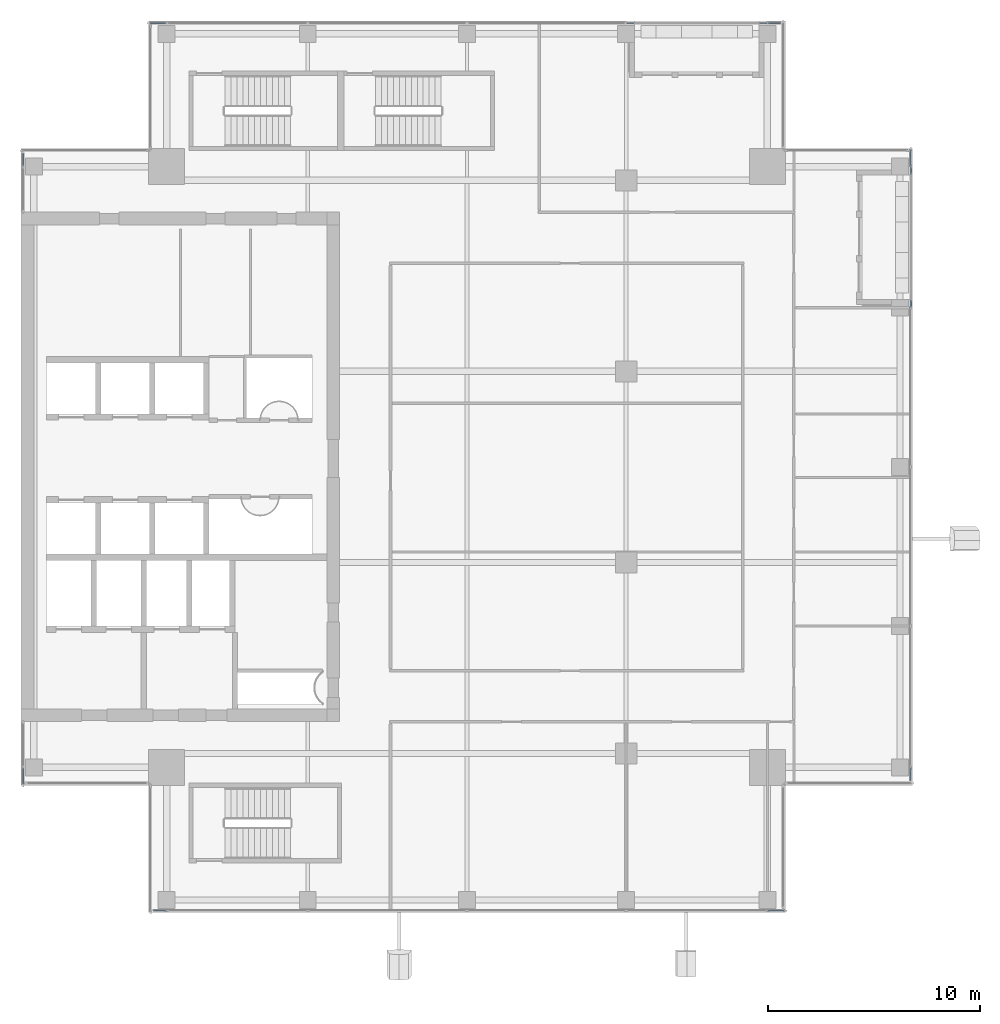
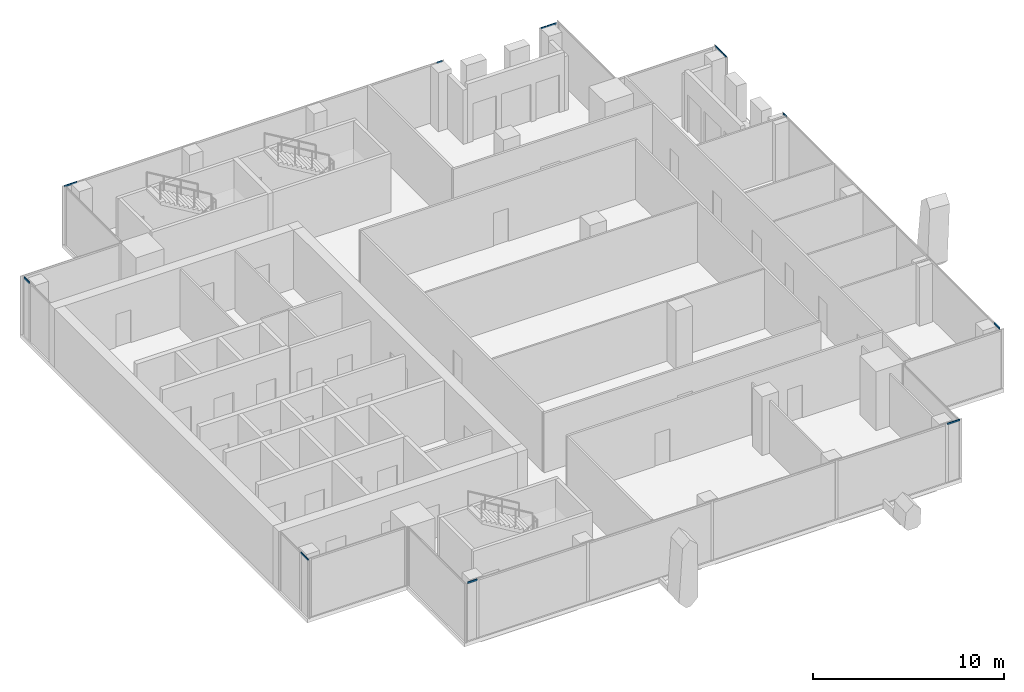
# One storey, part 17 of 28: 12 members, 7 elements without a shape of their own.
"""IFC4 building model written with IfcOpenShell, lengths in metres."""

from ifc_helpers import new_model, si_unit, direction, frame, origin, origin_2d, place, context, subcontext, project, spatial, hollow_rectangle, extrude, source, transform, mapped, material, material_profile, profile_set, type_object, element, aggregate, save


model = new_model("IFC4")

# Units and contexts
model_context = context("Model", 3, precision=1e-05, world=origin(), true_north=direction((0.0, 1.0)))
body_context = subcontext(model_context, "Body", "Model", "MODEL_VIEW")
ifc_project = project(units=[si_unit("LENGTHUNIT", "METRE"), si_unit("AREAUNIT", "SQUARE_METRE"), si_unit("VOLUMEUNIT", "CUBIC_METRE"), si_unit("PLANEANGLEUNIT", "RADIAN"), si_unit("MASSUNIT", "GRAM", prefix="KILO")], contexts=[model_context])

# Site, building, storey
site_placement = place(None, origin())
site = spatial("IfcSite", under=ifc_project, at=site_placement, CompositionType="ELEMENT")
building_placement = place(site_placement, origin())
building = spatial("IfcBuilding", under=site, at=building_placement, Name="Khomas Fold Tower", CompositionType="ELEMENT")
storey_placement = place(building_placement, frame((0.0, 0.0, 298.199951171875)))
storey = spatial("IfcBuildingStorey", under=building, at=storey_placement, Name="L67", CompositionType="ELEMENT", Elevation=298.199951171875)

# Curtain wall, member
ifc_material_1 = material(Name="Aluminium framed double glazing", Category="aluminium")
curtain_wall_type = type_object("IfcCurtainWallType", Name="SK-Unitised clear-glass wall, upper floors CW3", PredefinedType="NOTDEFINED", material=ifc_material_1)
curtain_wall_1_placement = place(storey_placement, origin())
curtain_wall_1 = element("IfcCurtainWall", 1, at=curtain_wall_1_placement, inside=storey, type_object=curtain_wall_type, Name="CW3 run L67 00-0", PredefinedType="NOTDEFINED")
ifc_material_2 = material(Name="Aluminium", Category="aluminium")
ifc_material_profile = material_profile(ifc_material_2, hollow_rectangle(XDim=0.050048828125, YDim=0.10009765625, WallThickness=0.00390625, at=origin_2d()), Name="SK-Unitised clear-glass wall, upper floors transom CW3-T")
ifc_profile_set = profile_set([ifc_material_profile], Name="Aluminium")
member_type = type_object("IfcMemberType", Name="SK-Unitised clear-glass wall, upper floors transom CW3-T", PredefinedType="USERDEFINED", material=ifc_profile_set)
shared_shape_1 = source(origin(), body_context, "Body", "SweptSolid", [
    extrude(hollow_rectangle(XDim=0.050048828125, YDim=0.10009765625, WallThickness=0.00390625, at=origin_2d()), origin(), (0.0, 0.0, 1.0), 0.574951171875),
])
member_1_placement = place(storey_placement, frame((12.25, 6.10009765625, 3.699951171875), z_axis=(1.0, 0.0, 0.0), x_axis=(0.0, 1.0, 0.0)))
member_1 = element("IfcMember", 2, at=member_1_placement, type_object=member_type, Name="CW3 transom 1", ObjectType="TRANSOM", PredefinedType="USERDEFINED", context=body_context, shape_type="MappedRepresentation", body=[
    mapped(shared_shape_1, transform((0.0, 0.0, 0.0))),
])

curtain_wall_2_placement = place(storey_placement, origin())
curtain_wall_2 = element("IfcCurtainWall", 3, at=curtain_wall_2_placement, inside=storey, type_object=curtain_wall_type, Name="CW3 run L67 03-0", PredefinedType="NOTDEFINED")
member_2_placement = place(storey_placement, frame((47.89990234375, 12.25, 3.699951171875), z_axis=(0.0, 1.0, 0.0), x_axis=(-1.0, 0.0, 0.0)))
member_2 = element("IfcMember", 4, at=member_2_placement, type_object=member_type, Name="CW3 transom 1", ObjectType="TRANSOM", PredefinedType="USERDEFINED", context=body_context, shape_type="MappedRepresentation", body=[
    mapped(shared_shape_1, transform((0.0, 0.0, 0.0))),
])

curtain_wall_3_placement = place(storey_placement, origin())
curtain_wall_3 = element("IfcCurtainWall", 5, at=curtain_wall_3_placement, inside=storey, type_object=curtain_wall_type, Name="CW3 run L67 06-0", PredefinedType="NOTDEFINED")
member_3_placement = place(storey_placement, frame((41.75, 47.89990234375, 3.699951171875), z_axis=(-1.0, 0.0, 0.0), x_axis=(0.0, -1.0, 0.0)))
member_3 = element("IfcMember", 6, at=member_3_placement, type_object=member_type, Name="CW3 transom 1", ObjectType="TRANSOM", PredefinedType="USERDEFINED", context=body_context, shape_type="MappedRepresentation", body=[
    mapped(shared_shape_1, transform((0.0, 0.0, 0.0))),
])

curtain_wall_4_placement = place(storey_placement, origin())
curtain_wall_4 = element("IfcCurtainWall", 7, at=curtain_wall_4_placement, inside=storey, type_object=curtain_wall_type, Name="CW3 run L67 09-0", PredefinedType="NOTDEFINED")
member_4_placement = place(storey_placement, frame((6.10009765625, 41.75, 3.699951171875), z_axis=(0.0, -1.0, 0.0), x_axis=(1.0, 0.0, 0.0)))
member_4 = element("IfcMember", 8, at=member_4_placement, type_object=member_type, Name="CW3 transom 1", ObjectType="TRANSOM", PredefinedType="USERDEFINED", context=body_context, shape_type="MappedRepresentation", body=[
    mapped(shared_shape_1, transform((0.0, 0.0, 0.0))),
])
aggregate(curtain_wall_4, [member_4])

# Member
shared_shape_2 = source(origin(), body_context, "Body", "SweptSolid", [
    extrude(hollow_rectangle(XDim=0.050048828125, YDim=0.10009765625, WallThickness=0.00390625, at=origin_2d()), origin(), (0.0, 0.0, 1.0), 0.77490234375),
])
member_5_placement = place(storey_placement, frame((41.175048828125, 6.10009765625, 3.699951171875), z_axis=(1.0, 0.0, 0.0), x_axis=(0.0, 1.0, 0.0)))
member_5 = element("IfcMember", 9, at=member_5_placement, type_object=member_type, Name="CW3 transom 6", ObjectType="TRANSOM", PredefinedType="USERDEFINED", context=body_context, shape_type="MappedRepresentation", body=[
    mapped(shared_shape_2, transform((0.0, 0.0, 0.0))),
])

aggregate(curtain_wall_1, [member_1, member_5])

# Curtain wall, member
curtain_wall_5_placement = place(storey_placement, origin())
curtain_wall_5 = element("IfcCurtainWall", 10, at=curtain_wall_5_placement, inside=storey, type_object=curtain_wall_type, Name="CW3 run L67 03-1", PredefinedType="NOTDEFINED")
member_6_placement = place(storey_placement, frame((47.89990234375, 41.175048828125, 3.699951171875), z_axis=(0.0, 1.0, 0.0), x_axis=(-1.0, 0.0, 0.0)))
member_6 = element("IfcMember", 11, at=member_6_placement, type_object=member_type, Name="CW3 transom 2", ObjectType="TRANSOM", PredefinedType="USERDEFINED", context=body_context, shape_type="MappedRepresentation", body=[
    mapped(shared_shape_2, transform((0.0, 0.0, 0.0))),
])

curtain_wall_6_placement = place(storey_placement, origin())
curtain_wall_6 = element("IfcCurtainWall", 12, at=curtain_wall_6_placement, inside=storey, type_object=curtain_wall_type, Name="CW3 run L67 06-1", PredefinedType="NOTDEFINED")
member_7_placement = place(storey_placement, frame((12.824951171875, 47.89990234375, 3.699951171875), z_axis=(-1.0, 0.0, 0.0), x_axis=(0.0, -1.0, 0.0)))
member_7 = element("IfcMember", 13, at=member_7_placement, type_object=member_type, Name="CW3 transom 5", ObjectType="TRANSOM", PredefinedType="USERDEFINED", context=body_context, shape_type="MappedRepresentation", body=[
    mapped(shared_shape_2, transform((0.0, 0.0, 0.0))),
])

curtain_wall_7_placement = place(storey_placement, origin())
curtain_wall_7 = element("IfcCurtainWall", 14, at=curtain_wall_7_placement, inside=storey, type_object=curtain_wall_type, Name="CW3 run L67 09-1", PredefinedType="NOTDEFINED")
member_8_placement = place(storey_placement, frame((6.10009765625, 12.824951171875, 3.699951171875), z_axis=(0.0, -1.0, 0.0), x_axis=(1.0, 0.0, 0.0)))
member_8 = element("IfcMember", 15, at=member_8_placement, type_object=member_type, Name="CW3 transom 2", ObjectType="TRANSOM", PredefinedType="USERDEFINED", context=body_context, shape_type="MappedRepresentation", body=[
    mapped(shared_shape_2, transform((0.0, 0.0, 0.0))),
])
aggregate(curtain_wall_7, [member_8])

# Member
shared_shape_3 = source(origin(), body_context, "Body", "SweptSolid", [
    extrude(hollow_rectangle(XDim=0.050048828125, YDim=0.10009765625, WallThickness=0.00390625, at=origin_2d()), origin(), (0.0, 0.0, 1.0), 0.3251953125),
])
member_9_placement = place(storey_placement, frame((47.89990234375, 34.52490234375, 3.699951171875), z_axis=(0.0, 1.0, 0.0), x_axis=(-1.0, 0.0, 0.0)))
member_9 = element("IfcMember", 16, at=member_9_placement, type_object=member_type, Name="CW3 transom 5", ObjectType="TRANSOM", PredefinedType="USERDEFINED", context=body_context, shape_type="MappedRepresentation", body=[
    mapped(shared_shape_3, transform((0.0, 0.0, 0.0))),
])

aggregate(curtain_wall_2, [member_2, member_9])

member_10_placement = place(storey_placement, frame((34.85009765625, 47.89990234375, 3.699951171875), z_axis=(-1.0, 0.0, 0.0), x_axis=(0.0, -1.0, 0.0)))
member_10 = element("IfcMember", 17, at=member_10_placement, type_object=member_type, Name="CW3 transom 1", ObjectType="TRANSOM", PredefinedType="USERDEFINED", context=body_context, shape_type="MappedRepresentation", body=[
    mapped(shared_shape_3, transform((0.0, 0.0, 0.0))),
])

aggregate(curtain_wall_6, [member_10, member_7])

shared_shape_4 = source(origin(), body_context, "Body", "SweptSolid", [
    extrude(hollow_rectangle(XDim=0.050048828125, YDim=0.10009765625, WallThickness=0.00390625, at=origin_2d()), origin(), (0.0, 0.0, 1.0), 0.324951171875),
])
member_11_placement = place(storey_placement, frame((47.89990234375, 40.800048828125, 3.699951171875), z_axis=(0.0, 1.0, 0.0), x_axis=(-1.0, 0.0, 0.0)))
member_11 = element("IfcMember", 18, at=member_11_placement, type_object=member_type, Name="CW3 transom 1", ObjectType="TRANSOM", PredefinedType="USERDEFINED", context=body_context, shape_type="MappedRepresentation", body=[
    mapped(shared_shape_4, transform((0.0, 0.0, 0.0))),
])

aggregate(curtain_wall_5, [member_11, member_6])

member_12_placement = place(storey_placement, frame((41.125, 47.89990234375, 3.699951171875), z_axis=(-1.0, 0.0, 0.0), x_axis=(0.0, -1.0, 0.0)))
member_12 = element("IfcMember", 19, at=member_12_placement, type_object=member_type, Name="CW3 transom 2", ObjectType="TRANSOM", PredefinedType="USERDEFINED", context=body_context, shape_type="MappedRepresentation", body=[
    mapped(shared_shape_4, transform((0.0, 0.0, 0.0))),
])

aggregate(curtain_wall_3, [member_3, member_12])

save(model, "model.ifc")
